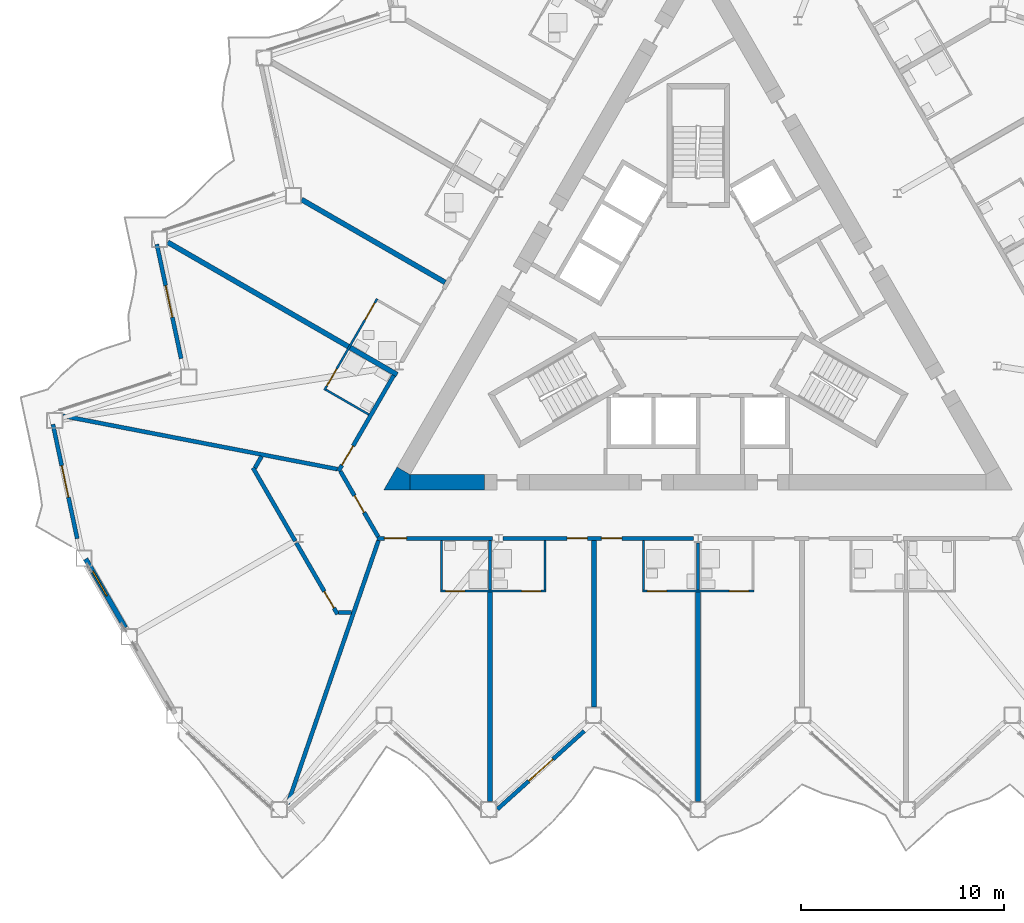
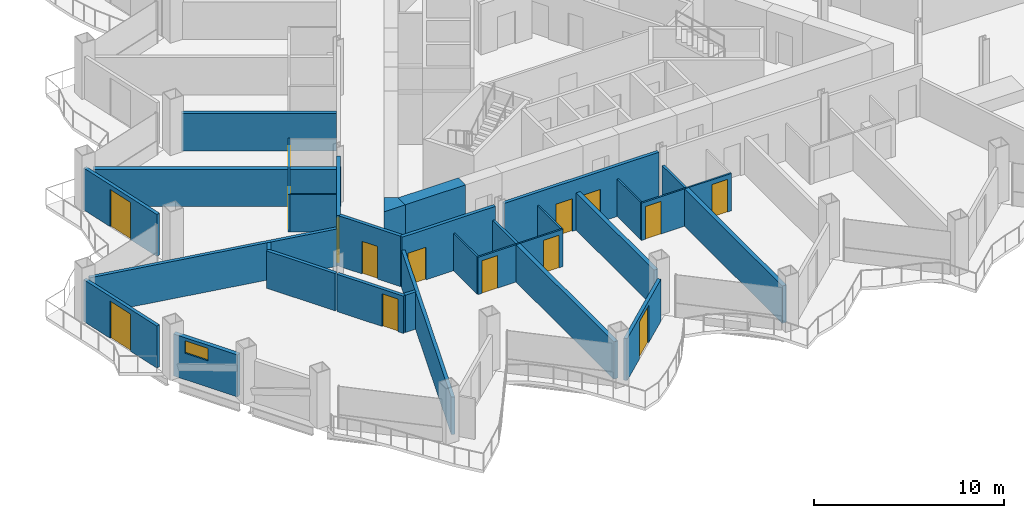
# One storey, part 10 of 23: 30 walls, 15 doors, 1 window, 16 openings.
"""IFC4 building model written with IfcOpenShell, lengths in metres."""

from ifc_helpers import new_model, si_unit, direction, frame, frame_2d, origin, place, context, subcontext, project, spatial, polyline, rectangle, outline, extrude, material, layer, layer_set, type_object, element, fill, save


model = new_model("IFC4")

# Units and contexts
model_context = context("Model", 3, precision=1e-05, world=origin(), true_north=direction((0.0, 1.0)))
body_context = subcontext(model_context, "Body", "Model", "MODEL_VIEW")
ifc_project = project(units=[si_unit("LENGTHUNIT", "METRE"), si_unit("AREAUNIT", "SQUARE_METRE"), si_unit("VOLUMEUNIT", "CUBIC_METRE"), si_unit("PLANEANGLEUNIT", "RADIAN"), si_unit("MASSUNIT", "GRAM", prefix="KILO")], contexts=[model_context])

# Site, building, storey
site_placement = place(None, origin())
site = spatial("IfcSite", under=ifc_project, at=site_placement, CompositionType="ELEMENT")
building_placement = place(site_placement, origin())
building = spatial("IfcBuilding", under=site, at=building_placement, Name="Cormorant Prow Tower", CompositionType="ELEMENT")
storey_placement = place(building_placement, frame((0.0, 0.0, 183.60009765625)))
storey = spatial("IfcBuildingStorey", under=building, at=storey_placement, Name="L39", CompositionType="ELEMENT", Elevation=183.60009765625)

# Walls
ifc_material_1 = material(Name="Concrete 8000 psi", Category="concrete")
ifc_layer_1 = layer(ifc_material_1, 0.75)
ifc_layer_set_1 = layer_set([ifc_layer_1], Name="Concrete 8000 psi")
wall_type_1 = type_object("IfcWallType", Name="Core shear wall 750", PredefinedType="SHEAR", material=ifc_layer_set_1)
wall_1_placement = place(storey_placement, frame((-14.200927734375, -8.573974609375, 0.0), z_axis=(0.0, 0.0, 1.0), x_axis=(1.0, 0.0, 0.0)))
element("IfcWall", 1, at=wall_1_placement, inside=storey, type_object=wall_type_1, Name="Core wall", PredefinedType="SHEAR", context=body_context, shape_type="SweptSolid", body=[
    extrude(rectangle(XDim=3.675537109375, YDim=0.75, at=frame_2d((1.837890625, 0.0))), origin(), (0.0, 0.0, 1.0), 3.25),
])
wall_2_placement = place(storey_placement, origin())
element("IfcWall", 2, at=wall_2_placement, inside=storey, type_object=wall_type_1, Name="Core wall corner", PredefinedType="SHEAR", context=body_context, shape_type="SweptSolid", body=[
    extrude(outline(polyline([(-14.8505859375, -7.823974609375), (-14.200927734375, -8.198974609375), (-14.200927734375, -8.948974609375), (-15.5, -8.948974609375), (-14.8505859375, -7.823974609375)])), origin(), (0.0, 0.0, 1.0), 3.25),
])

# Wall, openings, doors
ifc_material_2 = material(Name="Gypsum board corridor wall")
ifc_layer_2 = layer(ifc_material_2, 0.199951171875)
ifc_layer_set_2 = layer_set([ifc_layer_2], Name="Gypsum board corridor wall")
wall_type_2 = type_object("IfcWallType", Name="Corridor wall 200", PredefinedType="PARTITIONING", material=ifc_layer_set_2)
wall_3_placement = place(storey_placement, frame((-9.61474609375, -11.348876953125, 0.0), z_axis=(0.0, 0.0, 1.0), x_axis=(1.0, 0.0, 0.0)))
wall_3 = element("IfcWall", 3, at=wall_3_placement, inside=storey, type_object=wall_type_2, Name="Corridor wall", PredefinedType="PARTITIONING", context=body_context, shape_type="SweptSolid", body=[
    extrude(rectangle(XDim=9.401123046875, YDim=0.199951171875, at=frame_2d((4.70068359375, 0.0))), origin(), (0.0, 0.0, 1.0), 3.25),
])
opening_1_placement = place(wall_3_placement, frame((3.150390625, 0.0, 0.0)))
opening_1 = element("IfcOpeningElement", 4, at=opening_1_placement, cuts=wall_3, Name="Opening L39-F03", PredefinedType="OPENING", context=body_context, shape_type="SweptSolid", body=[
    extrude(rectangle(XDim=1.0, YDim=2.10009765625, at=frame_2d((0.5, 1.050048828125))), frame((0.0, 0.10986328125, 0.0), z_axis=(0.0, -1.0, 0.0), x_axis=(1.0, 0.0, 0.0)), (0.0, 0.0, 1.0), 0.219970703125),
])
opening_2_placement = place(wall_3_placement, frame((4.8505859375, 0.0, 0.0)))
opening_2 = element("IfcOpeningElement", 5, at=opening_2_placement, cuts=wall_3, Name="Opening L39-F05", PredefinedType="OPENING", context=body_context, shape_type="SweptSolid", body=[
    extrude(rectangle(XDim=1.0, YDim=2.10009765625, at=frame_2d((0.5, 1.050048828125))), frame((0.0, 0.10986328125, 0.0), z_axis=(0.0, -1.0, 0.0), x_axis=(1.0, 0.0, 0.0)), (0.0, 0.0, 1.0), 0.219970703125),
])
ifc_material_3 = material(Name="Timber door leaf", Category="wood")
door_type_1 = type_object("IfcDoorType", Name="Flat or room entrance door 1000x2100", OperationType="NOTDEFINED", PredefinedType="DOOR", material=ifc_material_3)
door_1_placement = place(opening_1_placement, origin())
door_1 = element("IfcDoor", 6, at=door_1_placement, inside=storey, type_object=door_type_1, Name="Guest room door", OperationType="SINGLE_SWING_RIGHT", OverallHeight=2.10009765625, OverallWidth=1.0, PredefinedType="DOOR", context=body_context, shape_type="SweptSolid", body=[
    extrude(rectangle(XDim=1.0, YDim=2.10009765625, at=frame_2d((0.5, 1.050048828125))), frame((0.0, 0.02490234375, 0.0), z_axis=(0.0, -1.0, 0.0), x_axis=(1.0, 0.0, 0.0)), (0.0, 0.0, 1.0), 0.050048828125),
])
fill(opening_1, door_1)
door_2_placement = place(opening_2_placement, origin())
door_2 = element("IfcDoor", 7, at=door_2_placement, inside=storey, type_object=door_type_1, Name="Guest room door", OperationType="SINGLE_SWING_LEFT", OverallHeight=2.10009765625, OverallWidth=1.0, PredefinedType="DOOR", context=body_context, shape_type="SweptSolid", body=[
    extrude(rectangle(XDim=1.0, YDim=2.10009765625, at=frame_2d((0.5, 1.050048828125))), frame((0.0, 0.02490234375, 0.0), z_axis=(0.0, -1.0, 0.0), x_axis=(1.0, 0.0, 0.0)), (0.0, 0.0, 1.0), 0.050048828125),
])
fill(opening_2, door_2)

# Wall, opening, door
wall_4_placement = place(storey_placement, frame((-15.830810546875, -11.348876953125, 0.0), z_axis=(0.0, 0.0, 1.0), x_axis=(1.0, 0.0, 0.0)))
wall_4 = element("IfcWall", 8, at=wall_4_placement, inside=storey, type_object=wall_type_2, Name="Corridor wall", PredefinedType="PARTITIONING", context=body_context, shape_type="SweptSolid", body=[
    extrude(rectangle(XDim=5.6865234375, YDim=0.199951171875, at=frame_2d((2.84326171875, 0.0))), origin(), (0.0, 0.0, 1.0), 3.25),
])
opening_3_placement = place(wall_4_placement, frame((0.35205078125, 0.0, 0.0)))
opening_3 = element("IfcOpeningElement", 9, at=opening_3_placement, cuts=wall_4, Name="Opening L39-F01", PredefinedType="OPENING", context=body_context, shape_type="SweptSolid", body=[
    extrude(rectangle(XDim=1.10009765625, YDim=2.10009765625, at=frame_2d((0.550048828125, 1.050048828125))), frame((0.0, 0.10986328125, 0.0), z_axis=(0.0, -1.0, 0.0), x_axis=(1.0, 0.0, 0.0)), (0.0, 0.0, 1.0), 0.219970703125),
])
ifc_material_4 = material(Name="Timber door leaf", Category="wood")
door_type_2 = type_object("IfcDoorType", Name="Suite entrance door 1100x2100", OperationType="NOTDEFINED", PredefinedType="DOOR", material=ifc_material_4)
door_3_placement = place(opening_3_placement, origin())
door_3 = element("IfcDoor", 10, at=door_3_placement, inside=storey, type_object=door_type_2, Name="Junior suite door", OperationType="SINGLE_SWING_LEFT", OverallHeight=2.10009765625, OverallWidth=1.10009765625, PredefinedType="DOOR", context=body_context, shape_type="SweptSolid", body=[
    extrude(rectangle(XDim=1.10009765625, YDim=2.10009765625, at=frame_2d((0.550048828125, 1.050048828125))), frame((0.0, 0.02490234375, 0.0), z_axis=(0.0, -1.0, 0.0), x_axis=(1.0, 0.0, 0.0)), (0.0, 0.0, 1.0), 0.050048828125),
])
fill(opening_3, door_3)

wall_5_placement = place(storey_placement, frame((-17.743896484375, -8.035400390625, 0.0), z_axis=(0.0, 0.0, 1.0), x_axis=(0.49998041698, 0.866036709751, 0.0)))
wall_5 = element("IfcWall", 11, at=wall_5_placement, inside=storey, type_object=wall_type_2, Name="Corridor wall", PredefinedType="PARTITIONING", context=body_context, shape_type="SweptSolid", body=[
    extrude(rectangle(XDim=5.461669921875, YDim=0.199951171875, at=frame_2d((2.73095703125, 0.0))), origin(), (0.0, 0.0, 1.0), 3.25),
])
opening_4_placement = place(wall_5_placement, frame((0.3515625, 0.0, 0.0)))
opening_4 = element("IfcOpeningElement", 12, at=opening_4_placement, cuts=wall_5, Name="Opening L39-F34", PredefinedType="OPENING", context=body_context, shape_type="SweptSolid", body=[
    extrude(rectangle(XDim=1.10009765625, YDim=2.10009765625, at=frame_2d((0.550048828125, 1.050048828125))), frame((0.0, 0.10986328125, 0.0), z_axis=(0.0, -1.0, 0.0), x_axis=(1.0, 0.0, 0.0)), (0.0, 0.0, 1.0), 0.219970703125),
])
door_4_placement = place(opening_4_placement, origin())
door_4 = element("IfcDoor", 13, at=door_4_placement, inside=storey, type_object=door_type_2, Name="Junior suite door", OperationType="SINGLE_SWING_LEFT", OverallHeight=2.10009765625, OverallWidth=1.10009765625, PredefinedType="DOOR", context=body_context, shape_type="SweptSolid", body=[
    extrude(rectangle(XDim=1.10009765625, YDim=2.10009765625, at=frame_2d((0.550048828125, 1.050048828125))), frame((0.0, 0.02490234375, 0.0), z_axis=(0.0, -1.0, 0.0), x_axis=(1.0, 0.0, 0.0)), (0.0, 0.0, 1.0), 0.050048828125),
])
fill(opening_4, door_4)

wall_6_placement = place(storey_placement, frame((-17.643798828125, -8.035400390625, 0.0), z_axis=(0.0, 0.0, 1.0), x_axis=(0.499958791762, -0.866049194065, 0.0)))
wall_6 = element("IfcWall", 14, at=wall_6_placement, inside=storey, type_object=wall_type_2, Name="Corridor wall", PredefinedType="PARTITIONING", context=body_context, shape_type="SweptSolid", body=[
    extrude(rectangle(XDim=3.725830078125, YDim=0.199951171875, at=frame_2d((1.86279296875, 0.0))), origin(), (0.0, 0.0, 1.0), 3.25),
])
opening_5_placement = place(wall_6_placement, frame((1.387939453125, 0.0, 0.0)))
opening_5 = element("IfcOpeningElement", 15, at=opening_5_placement, cuts=wall_6, Name="Opening L39-F36", PredefinedType="OPENING", context=body_context, shape_type="SweptSolid", body=[
    extrude(rectangle(XDim=0.949951171875, YDim=2.10009765625, at=frame_2d((0.47509765625, 1.050048828125))), frame((0.0, 0.10986328125, 0.0), z_axis=(0.0, -1.0, 0.0), x_axis=(1.0, 0.0, 0.0)), (0.0, 0.0, 1.0), 0.219970703125),
])
ifc_material_5 = material(Name="Timber door leaf", Category="wood")
door_type_3 = type_object("IfcDoorType", Name="Store door 950x2100", OperationType="NOTDEFINED", PredefinedType="DOOR", material=ifc_material_5)
door_5_placement = place(opening_5_placement, origin())
door_5 = element("IfcDoor", 16, at=door_5_placement, inside=storey, type_object=door_type_3, Name="Guest pantry door", OperationType="SINGLE_SWING_LEFT", OverallHeight=2.10009765625, OverallWidth=0.949951171875, PredefinedType="DOOR", context=body_context, shape_type="SweptSolid", body=[
    extrude(rectangle(XDim=0.949951171875, YDim=2.10009765625, at=frame_2d((0.47509765625, 1.050048828125))), frame((0.0, 0.02490234375, 0.0), z_axis=(0.0, -1.0, 0.0), x_axis=(1.0, 0.0, 0.0)), (0.0, 0.0, 1.0), 0.050048828125),
])
fill(opening_5, door_5)

# Walls
ifc_material_6 = material(Name="Gypsum board demising wall")
ifc_layer_3 = layer(ifc_material_6, 0.199951171875)
ifc_layer_set_3 = layer_set([ifc_layer_3], Name="Gypsum board demising wall")
wall_type_3 = type_object("IfcWallType", Name="Demising wall 200", PredefinedType="PARTITIONING", material=ifc_layer_set_3)
wall_7_placement = place(storey_placement, frame((-31.3291015625, -5.303466796875, 0.0), z_axis=(0.0, 0.0, 1.0), x_axis=(0.981696755608, -0.190450728612, 0.0)))
element("IfcWall", 17, at=wall_7_placement, inside=storey, type_object=wall_type_3, Name="Demising wall", PredefinedType="PARTITIONING", context=body_context, shape_type="SweptSolid", body=[
    extrude(rectangle(XDim=13.78955078125, YDim=0.199951171875, at=frame_2d((6.894775390625, 0.0))), origin(), (0.0, 0.0, 1.0), 2.404052734375),
])
wall_8_placement = place(storey_placement, frame((-20.248779296875, -24.455078125, 0.0), z_axis=(0.0, 0.0, 1.0), x_axis=(0.325902118519, 0.945403516571, 0.0)))
element("IfcWall", 18, at=wall_8_placement, inside=storey, type_object=wall_type_3, Name="Demising wall", PredefinedType="PARTITIONING", context=body_context, shape_type="SweptSolid", body=[
    extrude(rectangle(XDim=13.762939453125, YDim=0.199951171875, at=frame_2d((6.88134765625, 0.0))), origin(), (0.0, 0.0, 1.0), 2.404052734375),
])
wall_9_placement = place(storey_placement, frame((-21.95849609375, -7.8623046875, 0.0), z_axis=(0.0, 0.0, 1.0), x_axis=(0.499987304225, -0.866032733569, 0.0)))
element("IfcWall", 19, at=wall_9_placement, inside=storey, type_object=wall_type_3, Name="Demising wall", PredefinedType="PARTITIONING", context=body_context, shape_type="SweptSolid", body=[
    extrude(rectangle(XDim=4.17578125, YDim=0.199951171875, at=frame_2d((2.087890625, 0.0))), origin(), (0.0, 0.0, 1.0), 2.404052734375),
])

# Wall, opening, door
wall_10_placement = place(storey_placement, frame((-19.822265625, -11.5625, 0.0), z_axis=(0.0, 0.0, 1.0), x_axis=(0.499992600721, -0.866029675718, 0.0)))
wall_10 = element("IfcWall", 20, at=wall_10_placement, inside=storey, type_object=wall_type_3, Name="Demising wall", PredefinedType="PARTITIONING", context=body_context, shape_type="SweptSolid", body=[
    extrude(rectangle(XDim=4.06787109375, YDim=0.199951171875, at=frame_2d((2.033935546875, 0.0))), origin(), (0.0, 0.0, 1.0), 2.404052734375),
])
opening_6_placement = place(wall_10_placement, frame((2.76708984375, 0.0, 0.0)))
opening_6 = element("IfcOpeningElement", 21, at=opening_6_placement, cuts=wall_10, Name="Opening L39-F37", PredefinedType="OPENING", context=body_context, shape_type="SweptSolid", body=[
    extrude(rectangle(XDim=0.949951171875, YDim=2.10009765625, at=frame_2d((0.47509765625, 1.050048828125))), frame((0.0, 0.10986328125, 0.0), z_axis=(0.0, -1.0, 0.0), x_axis=(1.0, 0.0, 0.0)), (0.0, 0.0, 1.0), 0.219970703125),
])
door_6_placement = place(opening_6_placement, origin())
door_6 = element("IfcDoor", 22, at=door_6_placement, inside=storey, type_object=door_type_3, Name="Luggage store door", OperationType="SINGLE_SWING_RIGHT", OverallHeight=2.10009765625, OverallWidth=0.949951171875, PredefinedType="DOOR", context=body_context, shape_type="SweptSolid", body=[
    extrude(rectangle(XDim=0.949951171875, YDim=2.10009765625, at=frame_2d((0.47509765625, 1.050048828125))), frame((0.0, 0.02490234375, 0.0), z_axis=(0.0, -1.0, 0.0), x_axis=(1.0, 0.0, 0.0)), (0.0, 0.0, 1.0), 0.050048828125),
])
fill(opening_6, door_6)

# Walls
for number, where, z_axis, x_axis, name in (
    (23, (-21.858642578125, -7.8623046875, 0.0), (0.0, 0.0, 1.0), (0.500102178127, 0.865966403178, 0.0), "Demising wall"),
    (24, (-17.73828125, -14.998779296875, 0.0), (0.0, 0.0, 1.0), (1.0, 0.0, 0.0), "Demising wall"),
):
    element("IfcWall", number, at=place(storey_placement, frame(where, z_axis=z_axis, x_axis=x_axis)), inside=storey, type_object=wall_type_3, Name=name, PredefinedType="PARTITIONING", context=body_context, shape_type="SweptSolid", body=[
        extrude(rectangle(XDim=0.649169921875, YDim=0.199951171875, at=frame_2d((0.32470703125, 0.0))), origin(), (0.0, 0.0, 1.0), 2.404052734375),
    ])

# Wall, openings, doors
ifc_material_7 = material(Name="Gypsum board partition")
ifc_layer_4 = layer(ifc_material_7, 0.10009765625)
ifc_layer_set_4 = layer_set([ifc_layer_4], Name="Gypsum board partition")
wall_type_4 = type_object("IfcWallType", Name="Internal partition 100", PredefinedType="PARTITIONING", material=ifc_layer_set_4)
wall_11_placement = place(storey_placement, frame((-2.75, -13.948974609375, 0.0), z_axis=(0.0, 0.0, 1.0), x_axis=(1.0, 0.0, 0.0)))
wall_11 = element("IfcWall", 25, at=wall_11_placement, inside=storey, type_object=wall_type_4, Name="Internal partition", PredefinedType="PARTITIONING", context=body_context, shape_type="SweptSolid", body=[
    extrude(rectangle(XDim=5.5, YDim=0.10009765625, at=frame_2d((2.75, 0.0))), origin(), (0.0, 0.0, 1.0), 2.404052734375),
])
opening_7_placement = place(wall_11_placement, frame((0.25, 0.0, 0.0)))
opening_7 = element("IfcOpeningElement", 26, at=opening_7_placement, cuts=wall_11, Name="Opening L39-F06", PredefinedType="OPENING", context=body_context, shape_type="SweptSolid", body=[
    extrude(rectangle(XDim=0.949951171875, YDim=2.10009765625, at=frame_2d((0.47509765625, 1.050048828125))), frame((0.0, 0.06005859375, 0.0), z_axis=(0.0, -1.0, 0.0), x_axis=(1.0, 0.0, 0.0)), (0.0, 0.0, 1.0), 0.1201171875),
])
opening_8_placement = place(wall_11_placement, frame((4.300048828125, 0.0, 0.0)))
opening_8 = element("IfcOpeningElement", 27, at=opening_8_placement, cuts=wall_11, Name="Opening L39-F08", PredefinedType="OPENING", context=body_context, shape_type="SweptSolid", body=[
    extrude(rectangle(XDim=0.949951171875, YDim=2.10009765625, at=frame_2d((0.47509765625, 1.050048828125))), frame((0.0, 0.06005859375, 0.0), z_axis=(0.0, -1.0, 0.0), x_axis=(1.0, 0.0, 0.0)), (0.0, 0.0, 1.0), 0.1201171875),
])
ifc_material_8 = material(Name="Timber door leaf", Category="wood")
door_type_4 = type_object("IfcDoorType", Name="Bathroom door 950x2100", OperationType="NOTDEFINED", PredefinedType="DOOR", material=ifc_material_8)
door_7_placement = place(opening_7_placement, origin())
door_7 = element("IfcDoor", 28, at=door_7_placement, inside=storey, type_object=door_type_4, Name="Guest room door", OperationType="SINGLE_SWING_LEFT", OverallHeight=2.10009765625, OverallWidth=0.949951171875, PredefinedType="DOOR", context=body_context, shape_type="SweptSolid", body=[
    extrude(rectangle(XDim=0.949951171875, YDim=2.10009765625, at=frame_2d((0.47509765625, 1.050048828125))), frame((0.0, 0.02490234375, 0.0), z_axis=(0.0, -1.0, 0.0), x_axis=(1.0, 0.0, 0.0)), (0.0, 0.0, 1.0), 0.050048828125),
])
fill(opening_7, door_7)
door_8_placement = place(opening_8_placement, origin())
door_8 = element("IfcDoor", 29, at=door_8_placement, inside=storey, type_object=door_type_4, Name="Guest room door", OperationType="SINGLE_SWING_RIGHT", OverallHeight=2.10009765625, OverallWidth=0.949951171875, PredefinedType="DOOR", context=body_context, shape_type="SweptSolid", body=[
    extrude(rectangle(XDim=0.949951171875, YDim=2.10009765625, at=frame_2d((0.47509765625, 1.050048828125))), frame((0.0, 0.02490234375, 0.0), z_axis=(0.0, -1.0, 0.0), x_axis=(1.0, 0.0, 0.0)), (0.0, 0.0, 1.0), 0.050048828125),
])
fill(opening_8, door_8)

wall_12_placement = place(storey_placement, frame((-12.7041015625, -13.948974609375, 0.0), z_axis=(0.0, 0.0, 1.0), x_axis=(1.0, 0.0, 0.0)))
wall_12 = element("IfcWall", 30, at=wall_12_placement, inside=storey, type_object=wall_type_4, Name="Internal partition", PredefinedType="PARTITIONING", context=body_context, shape_type="SweptSolid", body=[
    extrude(rectangle(XDim=5.199951171875, YDim=0.10009765625, at=frame_2d((2.60009765625, 0.0))), origin(), (0.0, 0.0, 1.0), 2.404052734375),
])
opening_9_placement = place(wall_12_placement, frame((0.25, 0.0, 0.0)))
opening_9 = element("IfcOpeningElement", 31, at=opening_9_placement, cuts=wall_12, Name="Opening L39-F02", PredefinedType="OPENING", context=body_context, shape_type="SweptSolid", body=[
    extrude(rectangle(XDim=0.949951171875, YDim=2.10009765625, at=frame_2d((0.47509765625, 1.050048828125))), frame((0.0, 0.06005859375, 0.0), z_axis=(0.0, -1.0, 0.0), x_axis=(1.0, 0.0, 0.0)), (0.0, 0.0, 1.0), 0.1201171875),
])
opening_10_placement = place(wall_12_placement, frame((4.0, 0.0, 0.0)))
opening_10 = element("IfcOpeningElement", 32, at=opening_10_placement, cuts=wall_12, Name="Opening L39-F04", PredefinedType="OPENING", context=body_context, shape_type="SweptSolid", body=[
    extrude(rectangle(XDim=0.949951171875, YDim=2.10009765625, at=frame_2d((0.47509765625, 1.050048828125))), frame((0.0, 0.06005859375, 0.0), z_axis=(0.0, -1.0, 0.0), x_axis=(1.0, 0.0, 0.0)), (0.0, 0.0, 1.0), 0.1201171875),
])
door_9_placement = place(opening_9_placement, origin())
door_9 = element("IfcDoor", 33, at=door_9_placement, inside=storey, type_object=door_type_4, Name="Junior suite door", OperationType="SINGLE_SWING_LEFT", OverallHeight=2.10009765625, OverallWidth=0.949951171875, PredefinedType="DOOR", context=body_context, shape_type="SweptSolid", body=[
    extrude(rectangle(XDim=0.949951171875, YDim=2.10009765625, at=frame_2d((0.47509765625, 1.050048828125))), frame((0.0, 0.02490234375, 0.0), z_axis=(0.0, -1.0, 0.0), x_axis=(1.0, 0.0, 0.0)), (0.0, 0.0, 1.0), 0.050048828125),
])
fill(opening_9, door_9)
door_10_placement = place(opening_10_placement, origin())
door_10 = element("IfcDoor", 34, at=door_10_placement, inside=storey, type_object=door_type_4, Name="Guest room door", OperationType="SINGLE_SWING_RIGHT", OverallHeight=2.10009765625, OverallWidth=0.949951171875, PredefinedType="DOOR", context=body_context, shape_type="SweptSolid", body=[
    extrude(rectangle(XDim=0.949951171875, YDim=2.10009765625, at=frame_2d((0.47509765625, 1.050048828125))), frame((0.0, 0.02490234375, 0.0), z_axis=(0.0, -1.0, 0.0), x_axis=(1.0, 0.0, 0.0)), (0.0, 0.0, 1.0), 0.050048828125),
])
fill(opening_10, door_10)

wall_13_placement = place(storey_placement, frame((-18.43212890625, -4.027587890625, 0.0), z_axis=(0.0, 0.0, 1.0), x_axis=(0.499992051641, 0.866029992723, 0.0)))
wall_13 = element("IfcWall", 35, at=wall_13_placement, inside=storey, type_object=wall_type_4, Name="Internal partition", PredefinedType="PARTITIONING", context=body_context, shape_type="SweptSolid", body=[
    extrude(rectangle(XDim=5.19970703125, YDim=0.10009765625, at=frame_2d((2.599853515625, 0.0))), origin(), (0.0, 0.0, 1.0), 2.404052734375),
])
opening_11_placement = place(wall_13_placement, frame((4.0, 0.0, 0.0)))
opening_11 = element("IfcOpeningElement", 36, at=opening_11_placement, cuts=wall_13, Name="Opening L39-F33", PredefinedType="OPENING", context=body_context, shape_type="SweptSolid", body=[
    extrude(rectangle(XDim=0.949951171875, YDim=2.10009765625, at=frame_2d((0.47509765625, 1.050048828125))), frame((0.0, 0.06005859375, 0.0), z_axis=(0.0, -1.0, 0.0), x_axis=(1.0, 0.0, 0.0)), (0.0, 0.0, 1.0), 0.1201171875),
])
opening_12_placement = place(wall_13_placement, frame((0.25, 0.0, 0.0)))
opening_12 = element("IfcOpeningElement", 37, at=opening_12_placement, cuts=wall_13, Name="Opening L39-F35", PredefinedType="OPENING", context=body_context, shape_type="SweptSolid", body=[
    extrude(rectangle(XDim=0.949951171875, YDim=2.10009765625, at=frame_2d((0.47509765625, 1.050048828125))), frame((0.0, 0.06005859375, 0.0), z_axis=(0.0, -1.0, 0.0), x_axis=(1.0, 0.0, 0.0)), (0.0, 0.0, 1.0), 0.1201171875),
])
door_11_placement = place(opening_11_placement, origin())
door_11 = element("IfcDoor", 38, at=door_11_placement, inside=storey, type_object=door_type_4, Name="Guest room door", OperationType="SINGLE_SWING_RIGHT", OverallHeight=2.10009765625, OverallWidth=0.949951171875, PredefinedType="DOOR", context=body_context, shape_type="SweptSolid", body=[
    extrude(rectangle(XDim=0.949951171875, YDim=2.10009765625, at=frame_2d((0.47509765625, 1.050048828125))), frame((0.0, 0.02490234375, 0.0), z_axis=(0.0, -1.0, 0.0), x_axis=(1.0, 0.0, 0.0)), (0.0, 0.0, 1.0), 0.050048828125),
])
fill(opening_11, door_11)
door_12_placement = place(opening_12_placement, origin())
door_12 = element("IfcDoor", 39, at=door_12_placement, inside=storey, type_object=door_type_4, Name="Junior suite door", OperationType="SINGLE_SWING_LEFT", OverallHeight=2.10009765625, OverallWidth=0.949951171875, PredefinedType="DOOR", context=body_context, shape_type="SweptSolid", body=[
    extrude(rectangle(XDim=0.949951171875, YDim=2.10009765625, at=frame_2d((0.47509765625, 1.050048828125))), frame((0.0, 0.02490234375, 0.0), z_axis=(0.0, -1.0, 0.0), x_axis=(1.0, 0.0, 0.0)), (0.0, 0.0, 1.0), 0.050048828125),
])
fill(opening_12, door_12)

# Walls
for number, where, z_axis, x_axis, name in (
    (40, (-18.364013671875, -4.009521484375, 0.0), (0.0, 0.0, 1.0), (0.866057815567, -0.499943856944, 0.0), "Internal partition"),
    (41, (-12.654296875, -13.89892578125, 0.0), (0.0, 0.0, 1.0), (0.0, 1.0, 0.0), "Internal partition"),
    (42, (-7.55419921875, -13.89892578125, 0.0), (0.0, 0.0, 1.0), (0.0, 1.0, 0.0), "Internal partition"),
    (43, (-2.699951171875, -13.89892578125, 0.0), (0.0, 0.0, 1.0), (0.0, 1.0, 0.0), "Internal partition"),
):
    element("IfcWall", number, at=place(storey_placement, frame(where, z_axis=z_axis, x_axis=x_axis)), inside=storey, type_object=wall_type_4, Name=name, PredefinedType="PARTITIONING", context=body_context, shape_type="SweptSolid", body=[
        extrude(rectangle(XDim=2.449951171875, YDim=0.10009765625, at=frame_2d((1.22509765625, 0.0))), origin(), (0.0, 0.0, 1.0), 2.404052734375),
    ])
ifc_material_9 = material(Name="Acoustic gypsum party wall")
ifc_layer_5 = layer(ifc_material_9, 0.25)
ifc_layer_set_5 = layer_set([ifc_layer_5], Name="Acoustic gypsum party wall")
wall_type_5 = type_object("IfcWallType", Name="Suite party wall 250", PredefinedType="PARTITIONING", material=ifc_layer_set_5)
wall_14_placement = place(storey_placement, frame((-26.164306640625, 3.265380859375, 0.0), z_axis=(0.0, 0.0, 1.0), x_axis=(0.866021313335, -0.500007084799, 0.0)))
element("IfcWall", 44, at=wall_14_placement, inside=storey, type_object=wall_type_5, Name="Suite party wall", PredefinedType="PARTITIONING", context=body_context, shape_type="SweptSolid", body=[
    extrude(rectangle(XDim=13.067626953125, YDim=0.25, at=frame_2d((6.53369140625, 0.0))), origin(), (0.0, 0.0, 1.0), 2.404052734375),
])
for number, where, z_axis, x_axis, name in (
    (45, (-10.254150390625, -24.3115234375, 0.0), (0.0, 0.0, 1.0), (0.0, 1.0, 0.0), "Suite party wall"),
    (46, (0.0, -24.3115234375, 0.0), (0.0, 0.0, 1.0), (0.0, 1.0, 0.0), "Suite party wall"),
):
    element("IfcWall", number, at=place(storey_placement, frame(where, z_axis=z_axis, x_axis=x_axis)), inside=storey, type_object=wall_type_5, Name=name, PredefinedType="PARTITIONING", context=body_context, shape_type="SweptSolid", body=[
        extrude(rectangle(XDim=10.312744140625, YDim=0.25, at=frame_2d((5.15625, 0.0))), origin(), (0.0, 0.0, 1.0), 2.404052734375),
    ])
wall_15_placement = place(storey_placement, frame((-5.127197265625, -19.661376953125, 0.0), z_axis=(0.0, 0.0, 1.0), x_axis=(0.0, 1.0, 0.0)))
element("IfcWall", 47, at=wall_15_placement, inside=storey, type_object=wall_type_5, Name="Suite party wall", PredefinedType="PARTITIONING", context=body_context, shape_type="SweptSolid", body=[
    extrude(rectangle(XDim=8.21240234375, YDim=0.25, at=frame_2d((4.106201171875, 0.0))), origin(), (0.0, 0.0, 1.0), 2.404052734375),
])
wall_16_placement = place(storey_placement, frame((-19.5546875, 5.36962890625, 0.0), z_axis=(0.0, 0.0, 1.0), x_axis=(0.866024371346, -0.500001788232, 0.0)))
element("IfcWall", 48, at=wall_16_placement, inside=storey, type_object=wall_type_5, Name="Suite party wall", PredefinedType="PARTITIONING", context=body_context, shape_type="SweptSolid", body=[
    extrude(rectangle(XDim=8.1708984375, YDim=0.25, at=frame_2d((4.08544921875, 0.0))), origin(), (0.0, 0.0, 1.0), 2.404052734375),
])

# Wall, opening, window
ifc_material_10 = material(Name="Terracotta", Category="masonry")
ifc_layer_6 = layer(ifc_material_10, 0.25)
ifc_layer_set_6 = layer_set([ifc_layer_6], Name="Terracotta")
wall_type_6 = type_object("IfcWallType", Name="Terracotta bay wall 250", PredefinedType="SOLIDWALL", material=ifc_layer_set_6)
wall_17_placement = place(storey_placement, frame((-30.215087890625, -12.359619140625, 0.0), z_axis=(0.0, 0.0, 1.0), x_axis=(0.499995984904, -0.866027721889, 0.0)))
wall_17 = element("IfcWall", 49, at=wall_17_placement, inside=storey, type_object=wall_type_6, Name="Terracotta bay wall WSW00", PredefinedType="SOLIDWALL", context=body_context, shape_type="SweptSolid", body=[
    extrude(rectangle(XDim=3.91455078125, YDim=0.25, at=frame_2d((1.957275390625, 0.0))), origin(), (0.0, 0.0, 1.0), 2.70068359375),
])
opening_13_placement = place(wall_17_placement, frame((0.699951171875, 0.0, 1.699951171875)))
opening_13 = element("IfcOpeningElement", 50, at=opening_13_placement, cuts=wall_17, Name="Opening WN3", PredefinedType="OPENING", context=body_context, shape_type="SweptSolid", body=[
    extrude(rectangle(XDim=1.39990234375, YDim=0.800048828125, at=frame_2d((0.699951171875, 0.39990234375))), frame((0.0, 0.135009765625, 0.0), z_axis=(0.0, -1.0, 0.0), x_axis=(1.0, 0.0, 0.0)), (0.0, 0.0, 1.0), 0.27001953125),
])
ifc_material_11 = material(Name="Aluminium 6063-T6", Category="aluminium")
window_type = type_object("IfcWindowType", Name="Corner bay window 1400x800", PartitioningType="SINGLE_PANEL", PredefinedType="WINDOW", material=ifc_material_11)
window_placement = place(opening_13_placement, origin())
window = element("IfcWindow", 51, at=window_placement, inside=storey, type_object=window_type, Name="Corner bay window WSW00", OverallHeight=0.800048828125, OverallWidth=1.39990234375, PartitioningType="SINGLE_PANEL", PredefinedType="WINDOW", context=body_context, shape_type="SweptSolid", body=[
    extrude(rectangle(XDim=1.39990234375, YDim=0.800048828125, at=frame_2d((0.699951171875, 0.39990234375))), frame((0.0, 0.030029296875, 0.0), z_axis=(0.0, -1.0, 0.0), x_axis=(1.0, 0.0, 0.0)), (0.0, 0.0, 1.0), 0.06005859375),
])
fill(opening_13, window)

# Wall, opening, door
ifc_material_12 = material(Name="Terracotta", Category="masonry")
ifc_layer_7 = layer(ifc_material_12, 0.199951171875)
ifc_layer_set_7 = layer_set([ifc_layer_7], Name="Terracotta")
wall_type_7 = type_object("IfcWallType", Name="Terracotta jamb wall 200", PredefinedType="SOLIDWALL", material=ifc_layer_set_7)
wall_18_placement = place(storey_placement, frame((-9.89892578125, -24.703857421875, 0.0), z_axis=(0.0, 0.0, 1.0), x_axis=(0.74312139518, 0.669156627424, 0.0)))
wall_18 = element("IfcWall", 52, at=wall_18_placement, inside=storey, type_object=wall_type_7, Name="Terracotta jamb wall S03", PredefinedType="SOLIDWALL", context=body_context, shape_type="SweptSolid", body=[
    extrude(rectangle(XDim=5.76318359375, YDim=0.199951171875, at=frame_2d((2.881591796875, 0.0))), origin(), (0.0, 0.0, 1.0), 2.70068359375),
])
opening_14_placement = place(wall_18_placement, frame((2.08154296875, 0.0, 0.0)))
opening_14 = element("IfcOpeningElement", 53, at=opening_14_placement, cuts=wall_18, Name="Opening ED39.02", PredefinedType="OPENING", context=body_context, shape_type="SweptSolid", body=[
    extrude(rectangle(XDim=1.60009765625, YDim=2.39990234375, at=frame_2d((0.800048828125, 1.199951171875))), frame((0.0, 0.10986328125, 0.0), z_axis=(0.0, -1.0, 0.0), x_axis=(1.0, 0.0, 0.0)), (0.0, 0.0, 1.0), 0.219970703125),
])
ifc_material_13 = material(Name="Aluminium 6063-T6", Category="aluminium")
door_type_5 = type_object("IfcDoorType", Name="Balcony door 1600x2400", OperationType="DOUBLE_DOOR_SINGLE_SWING", PredefinedType="DOOR", material=ifc_material_13)
door_13_placement = place(opening_14_placement, origin())
door_13 = element("IfcDoor", 54, at=door_13_placement, inside=storey, type_object=door_type_5, Name="Balcony door S03 ED39.02", OperationType="DOUBLE_DOOR_SINGLE_SWING", OverallHeight=2.39990234375, OverallWidth=1.60009765625, PredefinedType="DOOR", context=body_context, shape_type="SweptSolid", body=[
    extrude(rectangle(XDim=1.60009765625, YDim=2.39990234375, at=frame_2d((0.800048828125, 1.199951171875))), frame((0.0, 0.02490234375, 0.0), z_axis=(0.0, -1.0, 0.0), x_axis=(1.0, 0.0, 0.0)), (0.0, 0.0, 1.0), 0.050048828125),
])
fill(opening_14, door_13)

wall_19_placement = place(storey_placement, frame((-26.69873046875, 3.163818359375, 0.0), z_axis=(0.0, 0.0, 1.0), x_axis=(0.207914487103, -0.978147006361, 0.0)))
wall_19 = element("IfcWall", 55, at=wall_19_placement, inside=storey, type_object=wall_type_7, Name="Terracotta jamb wall WNW07", PredefinedType="SOLIDWALL", context=body_context, shape_type="SweptSolid", body=[
    extrude(rectangle(XDim=5.76318359375, YDim=0.199951171875, at=frame_2d((2.881591796875, 0.0))), origin(), (0.0, 0.0, 1.0), 2.70068359375),
])
opening_15_placement = place(wall_19_placement, frame((2.08154296875, 0.0, 0.0)))
opening_15 = element("IfcOpeningElement", 56, at=opening_15_placement, cuts=wall_19, Name="Opening ED39.14", PredefinedType="OPENING", context=body_context, shape_type="SweptSolid", body=[
    extrude(rectangle(XDim=1.60009765625, YDim=2.39990234375, at=frame_2d((0.800048828125, 1.199951171875))), frame((0.0, 0.10986328125, 0.0), z_axis=(0.0, -1.0, 0.0), x_axis=(1.0, 0.0, 0.0)), (0.0, 0.0, 1.0), 0.219970703125),
])
door_14_placement = place(opening_15_placement, origin())
door_14 = element("IfcDoor", 57, at=door_14_placement, inside=storey, type_object=door_type_5, Name="Balcony door WNW07 ED39.14", OperationType="DOUBLE_DOOR_SINGLE_SWING", OverallHeight=2.39990234375, OverallWidth=1.60009765625, PredefinedType="DOOR", context=body_context, shape_type="SweptSolid", body=[
    extrude(rectangle(XDim=1.60009765625, YDim=2.39990234375, at=frame_2d((0.800048828125, 1.199951171875))), frame((0.0, 0.02490234375, 0.0), z_axis=(0.0, -1.0, 0.0), x_axis=(1.0, 0.0, 0.0)), (0.0, 0.0, 1.0), 0.050048828125),
])
fill(opening_15, door_14)

wall_20_placement = place(storey_placement, frame((-31.825927734375, -5.716552734375, 0.0), z_axis=(0.0, 0.0, 1.0), x_axis=(0.207914487103, -0.978147006361, 0.0)))
wall_20 = element("IfcWall", 58, at=wall_20_placement, inside=storey, type_object=wall_type_7, Name="Terracotta jamb wall WNW09", PredefinedType="SOLIDWALL", context=body_context, shape_type="SweptSolid", body=[
    extrude(rectangle(XDim=5.76318359375, YDim=0.199951171875, at=frame_2d((2.881591796875, 0.0))), origin(), (0.0, 0.0, 1.0), 2.70068359375),
])
opening_16_placement = place(wall_20_placement, frame((2.08154296875, 0.0, 0.0)))
opening_16 = element("IfcOpeningElement", 59, at=opening_16_placement, cuts=wall_20, Name="Opening ED39.15", PredefinedType="OPENING", context=body_context, shape_type="SweptSolid", body=[
    extrude(rectangle(XDim=1.60009765625, YDim=2.39990234375, at=frame_2d((0.800048828125, 1.199951171875))), frame((0.0, 0.10986328125, 0.0), z_axis=(0.0, -1.0, 0.0), x_axis=(1.0, 0.0, 0.0)), (0.0, 0.0, 1.0), 0.219970703125),
])
door_15_placement = place(opening_16_placement, origin())
door_15 = element("IfcDoor", 60, at=door_15_placement, inside=storey, type_object=door_type_5, Name="Balcony door WNW09 ED39.15", OperationType="DOUBLE_DOOR_SINGLE_SWING", OverallHeight=2.39990234375, OverallWidth=1.60009765625, PredefinedType="DOOR", context=body_context, shape_type="SweptSolid", body=[
    extrude(rectangle(XDim=1.60009765625, YDim=2.39990234375, at=frame_2d((0.800048828125, 1.199951171875))), frame((0.0, 0.02490234375, 0.0), z_axis=(0.0, -1.0, 0.0), x_axis=(1.0, 0.0, 0.0)), (0.0, 0.0, 1.0), 0.050048828125),
])
fill(opening_16, door_15)

# Walls
ifc_material_14 = material(Name="Plasterboard wet wall with pipe chase")
ifc_layer_8 = layer(ifc_material_14, 0.14990234375)
ifc_layer_set_8 = layer_set([ifc_layer_8], Name="Plasterboard wet wall with pipe chase")
wall_type_8 = type_object("IfcWallType", Name="Wet wall 150", PredefinedType="PLUMBINGWALL", material=ifc_layer_set_8)
wall_21_placement = place(storey_placement, frame((-10.254150390625, -13.89892578125, 0.0), z_axis=(0.0, 0.0, 1.0), x_axis=(0.0, 1.0, 0.0)))
element("IfcWall", 61, at=wall_21_placement, inside=storey, type_object=wall_type_8, Name="Wet wall", PredefinedType="PLUMBINGWALL", context=body_context, shape_type="SweptSolid", body=[
    extrude(rectangle(XDim=2.449951171875, YDim=0.14990234375, at=frame_2d((1.22509765625, 0.0))), origin(), (0.0, 0.0, 1.0), 2.404052734375),
])
wall_22_placement = place(storey_placement, frame((0.0, -13.89892578125, 0.0), z_axis=(0.0, 0.0, 1.0), x_axis=(0.0, 1.0, 0.0)))
element("IfcWall", 62, at=wall_22_placement, inside=storey, type_object=wall_type_8, Name="Wet wall", PredefinedType="PLUMBINGWALL", context=body_context, shape_type="SweptSolid", body=[
    extrude(rectangle(XDim=2.33642578125, YDim=0.14990234375, at=frame_2d((1.168212890625, 0.0))), origin(), (0.0, 0.0, 1.0), 2.404052734375),
])

save(model, "model.ifc")
